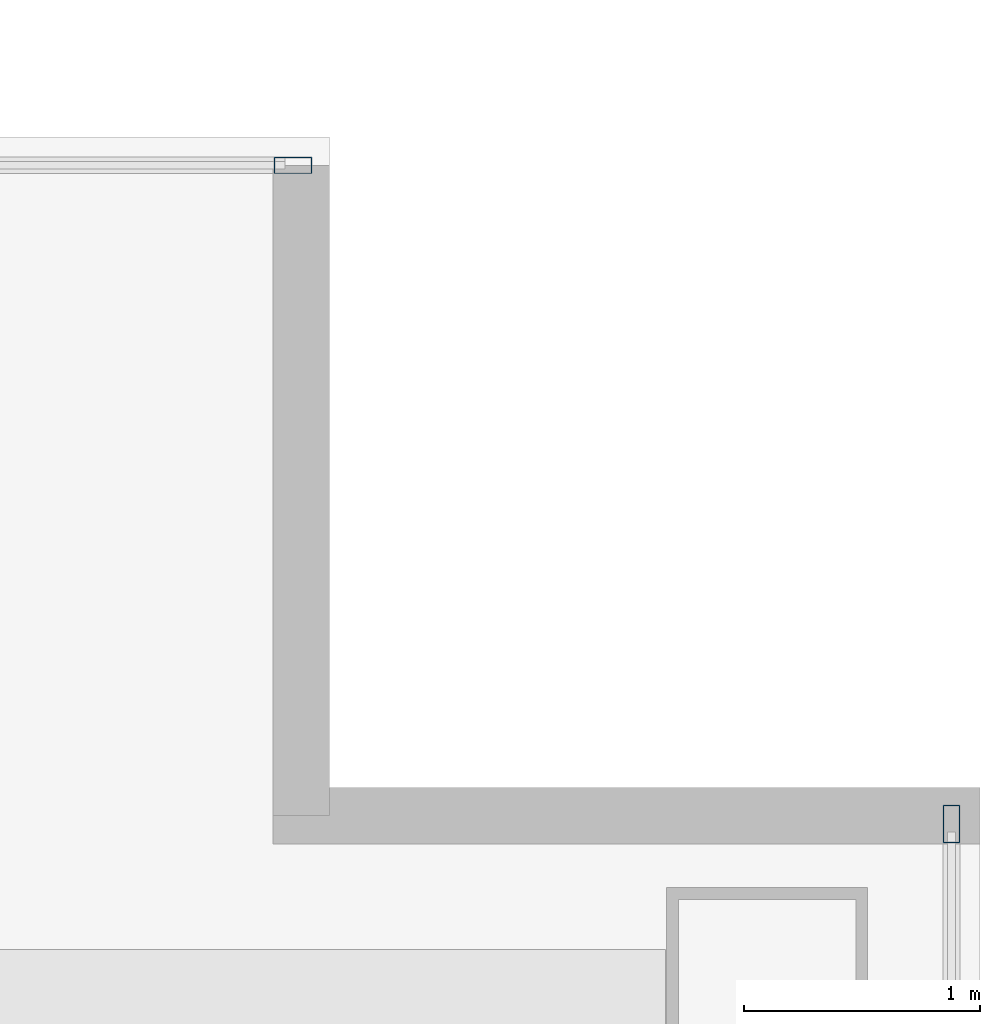
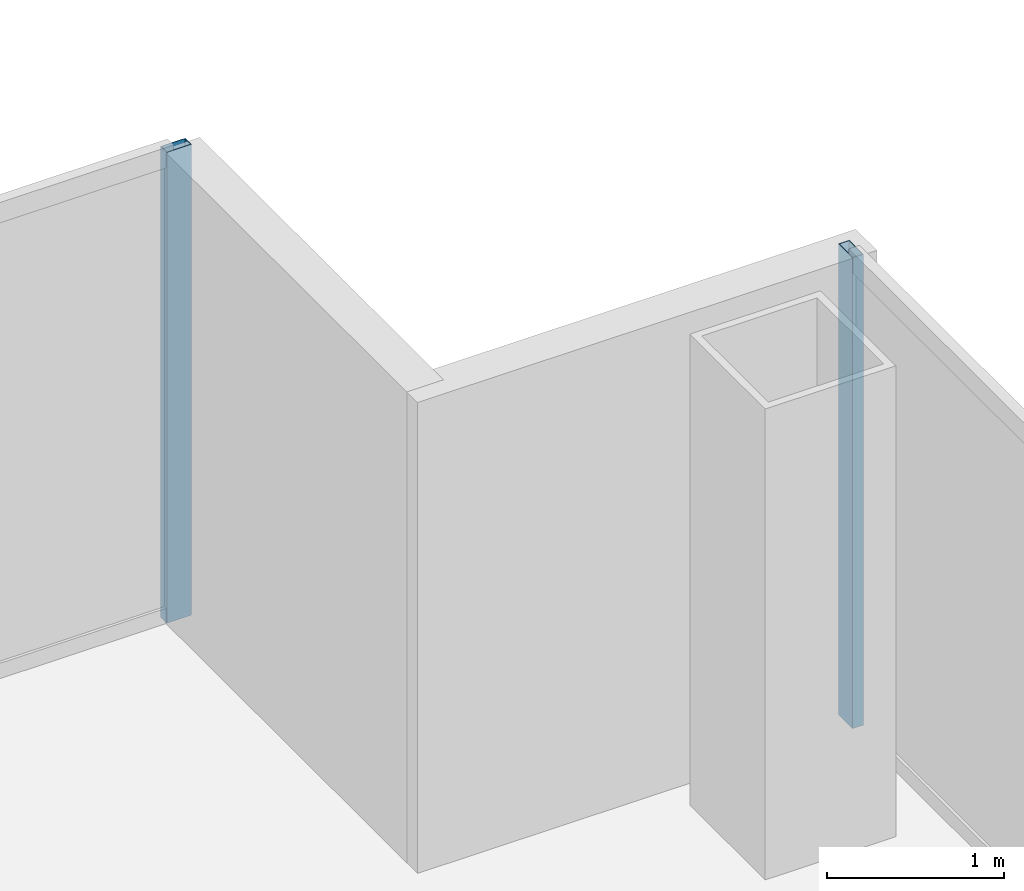
# One storey, part 16 of 23: 2 members, 2 elements without a shape of their own.
"""IFC4 building model written with IfcOpenShell, lengths in metres."""

from ifc_helpers import new_model, si_unit, direction, frame, origin, origin_2d, place, context, subcontext, project, spatial, hollow_rectangle, extrude, material, material_profile, profile_set, type_object, element, aggregate, save


model = new_model("IFC4")

# Units and contexts
model_context = context("Model", 3, precision=1e-05, world=origin(), true_north=direction((0.0, 1.0)))
body_context = subcontext(model_context, "Body", "Model", "MODEL_VIEW")
ifc_project = project(units=[si_unit("LENGTHUNIT", "METRE"), si_unit("AREAUNIT", "SQUARE_METRE"), si_unit("VOLUMEUNIT", "CUBIC_METRE"), si_unit("PLANEANGLEUNIT", "RADIAN"), si_unit("MASSUNIT", "GRAM", prefix="KILO")], contexts=[model_context])

# Site, building, storey
site_placement = place(None, origin())
site = spatial("IfcSite", under=ifc_project, at=site_placement, CompositionType="ELEMENT")
building_placement = place(site_placement, origin())
building = spatial("IfcBuilding", under=site, at=building_placement, Name="Cobrela Telecom Tower", CompositionType="ELEMENT")
storey_placement = place(building_placement, frame((0.0, 0.0, 180.25)))
storey = spatial("IfcBuildingStorey", under=building, at=storey_placement, Name="L45", CompositionType="ELEMENT", Elevation=180.25)

# Curtain wall, member
ifc_material = material(Name="Anodized Bronze Aluminium 6063-T6", Category="aluminium")
curtain_wall_type = type_object("IfcCurtainWallType", Name="CW-SYS-OFF-LO", PredefinedType="USERDEFINED", material=ifc_material)
curtain_wall_1_placement = place(storey_placement, origin())
curtain_wall_1 = element("IfcCurtainWall", 1, at=curtain_wall_1_placement, inside=storey, type_object=curtain_wall_type, Name="L45 Unitised Bronze Curtain Wall 11", ObjectType="UNITISED CURTAIN WALL", PredefinedType="USERDEFINED")
ifc_material_profile = material_profile(ifc_material, hollow_rectangle(XDim=0.070068359375, YDim=0.159912109375, WallThickness=0.00390625, at=origin_2d()), Name="ALU 70x160x4")
ifc_profile_set = profile_set([ifc_material_profile], Name="Anodized Bronze Aluminium 6063-T6")
member_type = type_object("IfcMemberType", Name="CW-SYS-OFF-LO-MUL", PredefinedType="MULLION", material=ifc_profile_set)
member_1_placement = place(storey_placement, frame((41.094970703125, 25.080078125, 0.0), z_axis=(0.0, 0.0, 1.0), x_axis=(0.0, 1.0, 0.0)))
member_1 = element("IfcMember", 2, at=member_1_placement, type_object=member_type, Name="CW-OFF-LO mullion 3", PredefinedType="MULLION", context=body_context, shape_type="SweptSolid", body=[
    extrude(hollow_rectangle(XDim=0.070068359375, YDim=0.159912109375, WallThickness=0.00390625, at=origin_2d()), origin(), (0.0, 0.0, 1.0), 3.239990234375),
])
aggregate(curtain_wall_1, [member_1])

curtain_wall_2_placement = place(storey_placement, origin())
curtain_wall_2 = element("IfcCurtainWall", 3, at=curtain_wall_2_placement, inside=storey, type_object=curtain_wall_type, Name="L45 Unitised Bronze Curtain Wall 14", ObjectType="UNITISED CURTAIN WALL", PredefinedType="USERDEFINED")
member_2_placement = place(storey_placement, frame((43.8798828125, 22.294921875, 0.0), z_axis=(0.0, 0.0, 1.0), x_axis=(1.0, 0.0, 0.0)))
member_2 = element("IfcMember", 4, at=member_2_placement, type_object=member_type, Name="CW-OFF-LO mullion 1", PredefinedType="MULLION", context=body_context, shape_type="SweptSolid", body=[
    extrude(hollow_rectangle(XDim=0.070068359375, YDim=0.159912109375, WallThickness=0.00390625, at=origin_2d()), origin(), (0.0, 0.0, 1.0), 3.239990234375),
])
aggregate(curtain_wall_2, [member_2])

save(model, "model.ifc")
